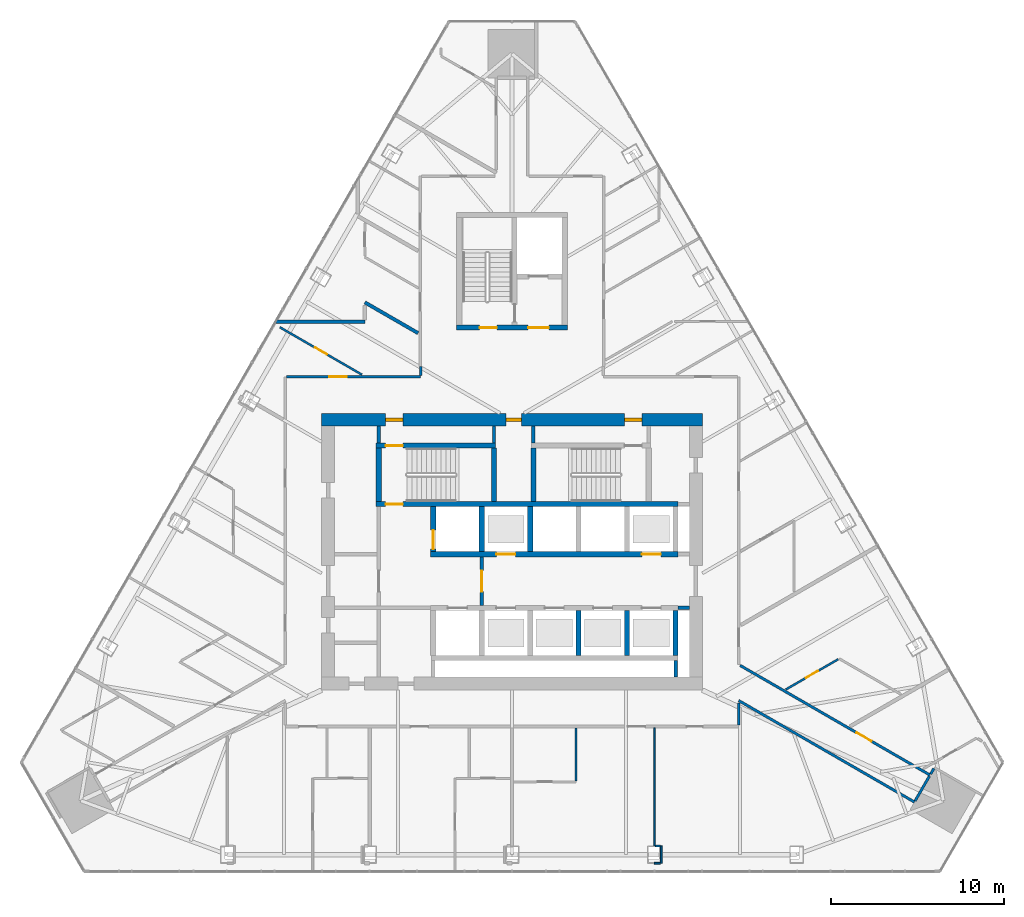
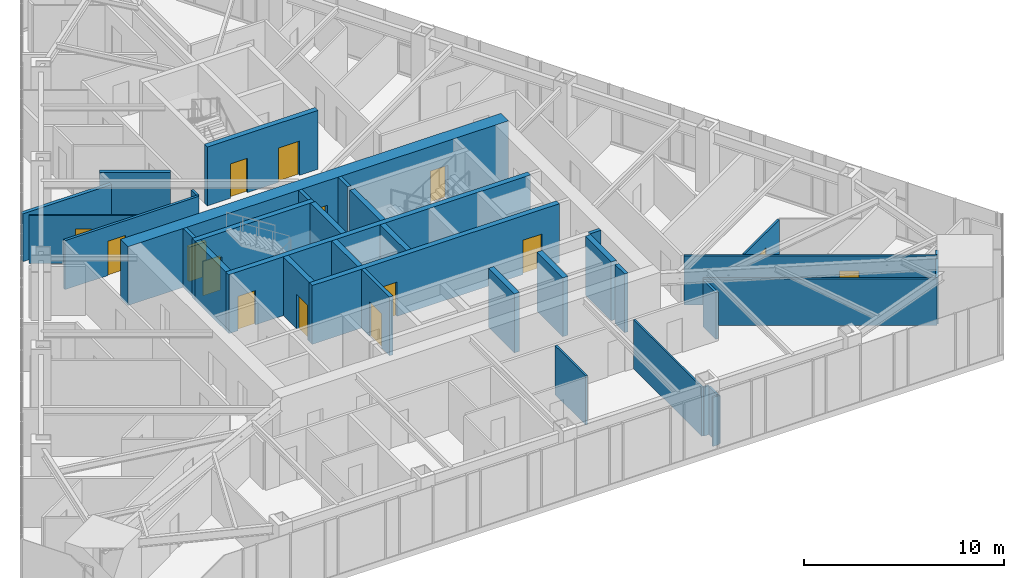
# One storey, part 20 of 24: 36 walls, 15 doors, 15 openings.
"""IFC4 building model written with IfcOpenShell, lengths in metres."""

from ifc_helpers import new_model, si_unit, direction, frame, frame_2d, origin, place, context, subcontext, project, spatial, rectangle, extrude, material, layer, layer_set, type_object, element, fill, save


model = new_model("IFC4")

# Units and contexts
model_context = context("Model", 3, precision=1e-05, world=origin(), true_north=direction((0.0, 1.0)))
body_context = subcontext(model_context, "Body", "Model", "MODEL_VIEW")
ifc_project = project(units=[si_unit("LENGTHUNIT", "METRE"), si_unit("AREAUNIT", "SQUARE_METRE"), si_unit("VOLUMEUNIT", "CUBIC_METRE"), si_unit("PLANEANGLEUNIT", "RADIAN"), si_unit("MASSUNIT", "GRAM", prefix="KILO")], contexts=[model_context])

# Site, building, storey
site_placement = place(None, origin())
site = spatial("IfcSite", under=ifc_project, at=site_placement, CompositionType="ELEMENT")
building_placement = place(site_placement, origin())
building = spatial("IfcBuilding", under=site, at=building_placement, Name="Firuza Gate Tower and Library", CompositionType="ELEMENT")
storey_placement = place(building_placement, frame((0.0, 0.0, 237.699951171875)))
storey = spatial("IfcBuildingStorey", under=building, at=storey_placement, Name="L56", CompositionType="ELEMENT", Elevation=237.699951171875)

# Walls
ifc_material_1 = material(Name="Plasterboard on steel studs", Category="steel")
ifc_layer_1 = layer(ifc_material_1, 0.199951171875)
ifc_layer_set_1 = layer_set([ifc_layer_1], Name="Core partition 200 EI 120")
wall_type_1 = type_object("IfcWallType", Name="Core partition 200 EI 120", PredefinedType="PARTITIONING", material=ifc_layer_set_1)
wall_1_placement = place(storey_placement, frame((84.60009765625, 71.75, 0.0), z_axis=(0.0, 0.0, 1.0), x_axis=(1.0, 0.0, 0.0)))
element("IfcWall", 1, at=wall_1_placement, inside=storey, type_object=wall_type_1, Name="Core partition L56 3", PredefinedType="PARTITIONING", context=body_context, shape_type="SweptSolid", body=[
    extrude(rectangle(XDim=0.64990234375, YDim=0.199951171875, at=frame_2d((0.324951171875, 0.0))), origin(), (0.0, 0.0, 1.0), 3.60009765625),
])
wall_2_placement = place(storey_placement, frame((67.300048828125, 81.280029296875, 0.0), z_axis=(0.0, 0.0, 1.0), x_axis=(0.0, 1.0, 0.0)))
element("IfcWall", 2, at=wall_2_placement, inside=storey, type_object=wall_type_1, Name="Core partition L56 9", PredefinedType="PARTITIONING", context=body_context, shape_type="SweptSolid", body=[
    extrude(rectangle(XDim=0.969970703125, YDim=0.199951171875, at=frame_2d((0.48486328125, 0.0))), origin(), (0.0, 0.0, 1.0), 3.60009765625),
])
wall_3_placement = place(storey_placement, frame((84.449951171875, 67.75, 0.0), z_axis=(0.0, 0.0, 1.0), x_axis=(0.0, 1.0, 0.0)))
element("IfcWall", 3, at=wall_3_placement, inside=storey, type_object=wall_type_1, Name="Core partition L56 15", PredefinedType="PARTITIONING", context=body_context, shape_type="SweptSolid", body=[
    extrude(rectangle(XDim=0.949951171875, YDim=0.199951171875, at=frame_2d((0.47509765625, 0.0))), origin(), (0.0, 0.0, 1.0), 3.60009765625),
])

# Wall, opening, door
ifc_material_2 = material(Name="Plasterboard on steel studs", Category="steel")
ifc_layer_2 = layer(ifc_material_2, 0.199951171875)
ifc_layer_set_2 = layer_set([ifc_layer_2], Name="Core partition 200 EI 60")
wall_type_2 = type_object("IfcWallType", Name="Core partition 200 EI 60", PredefinedType="PARTITIONING", material=ifc_layer_set_2)
wall_4_placement = place(storey_placement, frame((73.25, 71.89990234375, 0.0), z_axis=(0.0, 0.0, 1.0), x_axis=(0.0, 1.0, 0.0)))
wall_4 = element("IfcWall", 4, at=wall_4_placement, inside=storey, type_object=wall_type_2, Name="Core partition L56 11", PredefinedType="PARTITIONING", context=body_context, shape_type="SweptSolid", body=[
    extrude(rectangle(XDim=2.800048828125, YDim=0.199951171875, at=frame_2d((1.39990234375, 0.0))), origin(), (0.0, 0.0, 1.0), 3.60009765625),
])
opening_1_placement = place(wall_4_placement, frame((0.800048828125, 0.0, 0.0)))
opening_1 = element("IfcOpeningElement", 5, at=opening_1_placement, cuts=wall_4, Name="Opening L56-K18", PredefinedType="OPENING", context=body_context, shape_type="SweptSolid", body=[
    extrude(rectangle(XDim=1.199951171875, YDim=2.10009765625, at=frame_2d((0.60009765625, 1.050048828125))), frame((0.0, 0.10986328125, 0.0), z_axis=(0.0, -1.0, 0.0), x_axis=(1.0, 0.0, 0.0)), (0.0, 0.0, 1.0), 0.219970703125),
])
ifc_material_3 = material(Name="Steel", Category="steel")
door_type_1 = type_object("IfcDoorType", Name="Fire door 1200x2100 FD90S", OperationType="NOTDEFINED", PredefinedType="DOOR", material=ifc_material_3)
door_1_placement = place(opening_1_placement, origin())
door_1 = element("IfcDoor", 6, at=door_1_placement, inside=storey, type_object=door_type_1, Name="Door L56-K18", OperationType="SINGLE_SWING_LEFT", OverallHeight=2.10009765625, OverallWidth=1.199951171875, PredefinedType="DOOR", context=body_context, shape_type="SweptSolid", body=[
    extrude(rectangle(XDim=1.199951171875, YDim=2.10009765625, at=frame_2d((0.60009765625, 1.050048828125))), frame((0.0, 0.02490234375, 0.0), z_axis=(0.0, -1.0, 0.0), x_axis=(1.0, 0.0, 0.0)), (0.0, 0.0, 1.0), 0.050048828125),
])
fill(opening_1, door_1)

# Walls
for number, where, z_axis, x_axis, name in (
    (7, (73.9599609375, 81.280029296875, 0.0), (0.0, 0.0, 1.0), (0.0, 1.0, 0.0), "Core partition L56 12"),
    (8, (76.239990234375, 81.280029296875, 0.0), (0.0, 0.0, 1.0), (0.0, 1.0, 0.0), "Core partition L56 13"),
):
    element("IfcWall", number, at=place(storey_placement, frame(where, z_axis=z_axis, x_axis=x_axis)), inside=storey, type_object=wall_type_2, Name=name, PredefinedType="PARTITIONING", context=body_context, shape_type="SweptSolid", body=[
        extrude(rectangle(XDim=0.969970703125, YDim=0.199951171875, at=frame_2d((0.48486328125, 0.0))), origin(), (0.0, 0.0, 1.0), 3.60009765625),
    ])

# Wall, openings, doors
ifc_material_4 = material(Name="Concrete C80/95", Category="concrete")
ifc_layer_3 = layer(ifc_material_4, 0.300048828125)
ifc_layer_set_3 = layer_set([ifc_layer_3], Name="Core wall 300 C80/95")
wall_type_3 = type_object("IfcWallType", Name="Core wall 300 C80/95", PredefinedType="SHEAR", material=ifc_layer_set_3)
wall_5_placement = place(storey_placement, frame((70.300048828125, 74.85009765625, 0.0), z_axis=(0.0, 0.0, 1.0), x_axis=(1.0, 0.0, 0.0)))
wall_5 = element("IfcWall", 9, at=wall_5_placement, inside=storey, type_object=wall_type_3, Name="Core wall L56 7", PredefinedType="SHEAR", context=body_context, shape_type="SweptSolid", body=[
    extrude(rectangle(XDim=14.300048828125, YDim=0.300048828125, at=frame_2d((7.14990234375, 0.0))), origin(), (0.0, 0.0, 1.0), 3.60009765625),
])
opening_2_placement = place(wall_5_placement, frame((3.800048828125, 0.0, 0.0)))
opening_2 = element("IfcOpeningElement", 10, at=opening_2_placement, cuts=wall_5, Name="Opening LD-MR4-L56", PredefinedType="OPENING", context=body_context, shape_type="SweptSolid", body=[
    extrude(rectangle(XDim=1.10009765625, YDim=2.10009765625, at=frame_2d((0.550048828125, 1.050048828125))), frame((0.0, 0.16015625, 0.0), z_axis=(0.0, -1.0, 0.0), x_axis=(1.0, 0.0, 0.0)), (0.0, 0.0, 1.0), 0.320068359375),
])
opening_3_placement = place(wall_5_placement, frame((12.199951171875, 0.0, 0.0)))
opening_3 = element("IfcOpeningElement", 11, at=opening_3_placement, cuts=wall_5, Name="Opening LD-MR6-L56", PredefinedType="OPENING", context=body_context, shape_type="SweptSolid", body=[
    extrude(rectangle(XDim=1.10009765625, YDim=2.10009765625, at=frame_2d((0.550048828125, 1.050048828125))), frame((0.0, 0.16015625, 0.0), z_axis=(0.0, -1.0, 0.0), x_axis=(1.0, 0.0, 0.0)), (0.0, 0.0, 1.0), 0.320068359375),
])
ifc_material_5 = material(Name="Stainless steel", Category="steel")
door_type_2 = type_object("IfcDoorType", Name="Lift landing door 1100x2100", OperationType="DOUBLE_DOOR_SLIDING", PredefinedType="DOOR", material=ifc_material_5)
door_2_placement = place(opening_2_placement, origin())
door_2 = element("IfcDoor", 12, at=door_2_placement, inside=storey, type_object=door_type_2, Name="Landing door MR4 L56", OperationType="DOUBLE_DOOR_SLIDING", OverallHeight=2.10009765625, OverallWidth=1.10009765625, PredefinedType="DOOR", context=body_context, shape_type="SweptSolid", body=[
    extrude(rectangle(XDim=1.10009765625, YDim=2.10009765625, at=frame_2d((0.550048828125, 1.050048828125))), frame((0.0, 0.02490234375, 0.0), z_axis=(0.0, -1.0, 0.0), x_axis=(1.0, 0.0, 0.0)), (0.0, 0.0, 1.0), 0.050048828125),
])
fill(opening_2, door_2)
door_3_placement = place(opening_3_placement, origin())
door_3 = element("IfcDoor", 13, at=door_3_placement, inside=storey, type_object=door_type_2, Name="Landing door MR6 L56", OperationType="DOUBLE_DOOR_SLIDING", OverallHeight=2.10009765625, OverallWidth=1.10009765625, PredefinedType="DOOR", context=body_context, shape_type="SweptSolid", body=[
    extrude(rectangle(XDim=1.10009765625, YDim=2.10009765625, at=frame_2d((0.550048828125, 1.050048828125))), frame((0.0, 0.02490234375, 0.0), z_axis=(0.0, -1.0, 0.0), x_axis=(1.0, 0.0, 0.0)), (0.0, 0.0, 1.0), 0.050048828125),
])
fill(opening_3, door_3)

# Wall, opening, door
wall_6_placement = place(storey_placement, frame((70.449951171875, 75.0, 0.0), z_axis=(0.0, 0.0, 1.0), x_axis=(0.0, 1.0, 0.0)))
wall_6 = element("IfcWall", 14, at=wall_6_placement, inside=storey, type_object=wall_type_3, Name="Core wall L56 9", PredefinedType="SHEAR", context=body_context, shape_type="SweptSolid", body=[
    extrude(rectangle(XDim=2.60009765625, YDim=0.300048828125, at=frame_2d((1.300048828125, 0.0))), origin(), (0.0, 0.0, 1.0), 3.60009765625),
])
opening_4_placement = place(wall_6_placement, frame((0.14990234375, 0.0, 0.0)))
opening_4 = element("IfcOpeningElement", 15, at=opening_4_placement, cuts=wall_6, Name="Opening LD-FF2-L56", PredefinedType="OPENING", context=body_context, shape_type="SweptSolid", body=[
    extrude(rectangle(XDim=1.10009765625, YDim=2.10009765625, at=frame_2d((0.550048828125, 1.050048828125))), frame((0.0, 0.16015625, 0.0), z_axis=(0.0, -1.0, 0.0), x_axis=(1.0, 0.0, 0.0)), (0.0, 0.0, 1.0), 0.320068359375),
])
door_4_placement = place(opening_4_placement, origin())
door_4 = element("IfcDoor", 16, at=door_4_placement, inside=storey, type_object=door_type_2, Name="Landing door FF2 L56", OperationType="DOUBLE_DOOR_SLIDING", OverallHeight=2.10009765625, OverallWidth=1.10009765625, PredefinedType="DOOR", context=body_context, shape_type="SweptSolid", body=[
    extrude(rectangle(XDim=1.10009765625, YDim=2.10009765625, at=frame_2d((0.550048828125, 1.050048828125))), frame((0.0, 0.02490234375, 0.0), z_axis=(0.0, -1.0, 0.0), x_axis=(1.0, 0.0, 0.0)), (0.0, 0.0, 1.0), 0.050048828125),
])
fill(opening_4, door_4)

# Walls
for number, where, z_axis, x_axis, name in (
    (17, (73.25, 75.0, 0.0), (0.0, 0.0, 1.0), (0.0, 1.0, 0.0), "Core wall L56 11"),
    (18, (76.050048828125, 75.0, 0.0), (0.0, 0.0, 1.0), (0.0, 1.0, 0.0), "Core wall L56 13"),
    (19, (78.85009765625, 69.0, 0.0), (0.0, 0.0, 1.0), (0.0, 1.0, 0.0), "Core wall L56 14"),
    (20, (81.64990234375, 69.0, 0.0), (0.0, 0.0, 1.0), (0.0, 1.0, 0.0), "Core wall L56 16"),
    (21, (84.449951171875, 69.0, 0.0), (0.0, 0.0, 1.0), (0.0, 1.0, 0.0), "Core wall L56 18"),
):
    element("IfcWall", number, at=place(storey_placement, frame(where, z_axis=z_axis, x_axis=x_axis)), inside=storey, type_object=wall_type_3, Name=name, PredefinedType="SHEAR", context=body_context, shape_type="SweptSolid", body=[
        extrude(rectangle(XDim=2.60009765625, YDim=0.300048828125, at=frame_2d((1.300048828125, 0.0))), origin(), (0.0, 0.0, 1.0), 3.60009765625),
    ])

# Wall, opening, door
wall_7_placement = place(storey_placement, frame((67.14990234375, 77.75, 0.0), z_axis=(0.0, 0.0, 1.0), x_axis=(1.0, 0.0, 0.0)))
wall_7 = element("IfcWall", 22, at=wall_7_placement, inside=storey, type_object=wall_type_3, Name="Core wall L56 20", PredefinedType="SHEAR", context=body_context, shape_type="SweptSolid", body=[
    extrude(rectangle(XDim=17.4501953125, YDim=0.300048828125, at=frame_2d((8.72509765625, 0.0))), origin(), (0.0, 0.0, 1.0), 3.60009765625),
])
opening_5_placement = place(wall_7_placement, frame((0.544921875, 0.0, 0.0)))
opening_5 = element("IfcOpeningElement", 23, at=opening_5_placement, cuts=wall_7, Name="Opening L56-K10", PredefinedType="OPENING", context=body_context, shape_type="SweptSolid", body=[
    extrude(rectangle(XDim=1.0, YDim=2.10009765625, at=frame_2d((0.5, 1.050048828125))), frame((0.0, 0.16015625, 0.0), z_axis=(0.0, -1.0, 0.0), x_axis=(1.0, 0.0, 0.0)), (0.0, 0.0, 1.0), 0.320068359375),
])
ifc_material_6 = material(Name="Steel", Category="steel")
door_type_3 = type_object("IfcDoorType", Name="Fire door 1000x2100 FD90", OperationType="NOTDEFINED", PredefinedType="DOOR", material=ifc_material_6)
door_5_placement = place(opening_5_placement, origin())
door_5 = element("IfcDoor", 24, at=door_5_placement, inside=storey, type_object=door_type_3, Name="Door L56-K10", OperationType="SINGLE_SWING_LEFT", OverallHeight=2.10009765625, OverallWidth=1.0, PredefinedType="DOOR", context=body_context, shape_type="SweptSolid", body=[
    extrude(rectangle(XDim=1.0, YDim=2.10009765625, at=frame_2d((0.5, 1.050048828125))), frame((0.0, 0.02490234375, 0.0), z_axis=(0.0, -1.0, 0.0), x_axis=(1.0, 0.0, 0.0)), (0.0, 0.0, 1.0), 0.050048828125),
])
fill(opening_5, door_5)

wall_8_placement = place(storey_placement, frame((67.14990234375, 81.1298828125, 0.0), z_axis=(0.0, 0.0, 1.0), x_axis=(1.0, 0.0, 0.0)))
wall_8 = element("IfcWall", 25, at=wall_8_placement, inside=storey, type_object=wall_type_3, Name="Core wall L56 21", PredefinedType="SHEAR", context=body_context, shape_type="SweptSolid", body=[
    extrude(rectangle(XDim=6.91015625, YDim=0.300048828125, at=frame_2d((3.455078125, 0.0))), origin(), (0.0, 0.0, 1.0), 3.60009765625),
])
opening_6_placement = place(wall_8_placement, frame((0.544921875, 0.0, 0.0)))
opening_6 = element("IfcOpeningElement", 26, at=opening_6_placement, cuts=wall_8, Name="Opening L56-K11", PredefinedType="OPENING", context=body_context, shape_type="SweptSolid", body=[
    extrude(rectangle(XDim=1.0, YDim=2.10009765625, at=frame_2d((0.5, 1.050048828125))), frame((0.0, 0.16015625, 0.0), z_axis=(0.0, -1.0, 0.0), x_axis=(1.0, 0.0, 0.0)), (0.0, 0.0, 1.0), 0.320068359375),
])
door_6_placement = place(opening_6_placement, origin())
door_6 = element("IfcDoor", 27, at=door_6_placement, inside=storey, type_object=door_type_3, Name="Door L56-K11", OperationType="SINGLE_SWING_RIGHT", OverallHeight=2.10009765625, OverallWidth=1.0, PredefinedType="DOOR", context=body_context, shape_type="SweptSolid", body=[
    extrude(rectangle(XDim=1.0, YDim=2.10009765625, at=frame_2d((0.5, 1.050048828125))), frame((0.0, 0.02490234375, 0.0), z_axis=(0.0, -1.0, 0.0), x_axis=(1.0, 0.0, 0.0)), (0.0, 0.0, 1.0), 0.050048828125),
])
fill(opening_6, door_6)

# Walls
for number, where, z_axis, x_axis, name in (
    (28, (67.300048828125, 77.89990234375, 0.0), (0.0, 0.0, 1.0), (0.0, 1.0, 0.0), "Core wall L56 23"),
    (29, (73.9599609375, 77.89990234375, 0.0), (0.0, 0.0, 1.0), (0.0, 1.0, 0.0), "Core wall L56 24"),
    (30, (76.239990234375, 77.89990234375, 0.0), (0.0, 0.0, 1.0), (0.0, 1.0, 0.0), "Core wall L56 25"),
):
    element("IfcWall", number, at=place(storey_placement, frame(where, z_axis=z_axis, x_axis=x_axis)), inside=storey, type_object=wall_type_3, Name=name, PredefinedType="SHEAR", context=body_context, shape_type="SweptSolid", body=[
        extrude(rectangle(XDim=3.080078125, YDim=0.300048828125, at=frame_2d((1.5400390625, 0.0))), origin(), (0.0, 0.0, 1.0), 3.60009765625),
    ])

# Wall, openings, doors
wall_9_placement = place(storey_placement, frame((71.800048828125, 87.949951171875, 0.0), z_axis=(0.0, 0.0, 1.0), x_axis=(1.0, 0.0, 0.0)))
wall_9 = element("IfcWall", 31, at=wall_9_placement, inside=storey, type_object=wall_type_3, Name="Core wall L56 27", PredefinedType="SHEAR", context=body_context, shape_type="SweptSolid", body=[
    extrude(rectangle(XDim=6.39990234375, YDim=0.300048828125, at=frame_2d((3.199951171875, 0.0))), origin(), (0.0, 0.0, 1.0), 3.60009765625),
])
opening_7_placement = place(wall_9_placement, frame((1.324951171875, 0.0, 0.0)))
opening_7 = element("IfcOpeningElement", 32, at=opening_7_placement, cuts=wall_9, Name="Opening L56-K15", PredefinedType="OPENING", context=body_context, shape_type="SweptSolid", body=[
    extrude(rectangle(XDim=1.0, YDim=2.10009765625, at=frame_2d((0.5, 1.050048828125))), frame((0.0, 0.16015625, 0.0), z_axis=(0.0, -1.0, 0.0), x_axis=(1.0, 0.0, 0.0)), (0.0, 0.0, 1.0), 0.320068359375),
])
opening_8_placement = place(wall_9_placement, frame((4.125, 0.0, 0.0)))
opening_8 = element("IfcOpeningElement", 33, at=opening_8_placement, cuts=wall_9, Name="Opening L56-K17", PredefinedType="OPENING", context=body_context, shape_type="SweptSolid", body=[
    extrude(rectangle(XDim=1.199951171875, YDim=2.10009765625, at=frame_2d((0.60009765625, 1.050048828125))), frame((0.0, 0.16015625, 0.0), z_axis=(0.0, -1.0, 0.0), x_axis=(1.0, 0.0, 0.0)), (0.0, 0.0, 1.0), 0.320068359375),
])
door_7_placement = place(opening_7_placement, origin())
door_7 = element("IfcDoor", 34, at=door_7_placement, inside=storey, type_object=door_type_3, Name="Door L56-K15", OperationType="SINGLE_SWING_RIGHT", OverallHeight=2.10009765625, OverallWidth=1.0, PredefinedType="DOOR", context=body_context, shape_type="SweptSolid", body=[
    extrude(rectangle(XDim=1.0, YDim=2.10009765625, at=frame_2d((0.5, 1.050048828125))), frame((0.0, 0.02490234375, 0.0), z_axis=(0.0, -1.0, 0.0), x_axis=(1.0, 0.0, 0.0)), (0.0, 0.0, 1.0), 0.050048828125),
])
fill(opening_7, door_7)
ifc_material_7 = material(Name="Steel", Category="steel")
door_type_4 = type_object("IfcDoorType", Name="Fire door 1200x2100 FD30S", OperationType="NOTDEFINED", PredefinedType="DOOR", material=ifc_material_7)
door_8_placement = place(opening_8_placement, origin())
door_8 = element("IfcDoor", 35, at=door_8_placement, inside=storey, type_object=door_type_4, Name="Door L56-K17", OperationType="SINGLE_SWING_RIGHT", OverallHeight=2.10009765625, OverallWidth=1.199951171875, PredefinedType="DOOR", context=body_context, shape_type="SweptSolid", body=[
    extrude(rectangle(XDim=1.199951171875, YDim=2.10009765625, at=frame_2d((0.60009765625, 1.050048828125))), frame((0.0, 0.02490234375, 0.0), z_axis=(0.0, -1.0, 0.0), x_axis=(1.0, 0.0, 0.0)), (0.0, 0.0, 1.0), 0.050048828125),
])
fill(opening_8, door_8)

ifc_material_8 = material(Name="Concrete C80/95", Category="concrete")
ifc_layer_4 = layer(ifc_material_8, 0.75)
ifc_layer_set_4 = layer_set([ifc_layer_4], Name="Core wall 750 C80/95")
wall_type_4 = type_object("IfcWallType", Name="Core wall 750 C80/95", PredefinedType="SHEAR", material=ifc_layer_set_4)
wall_10_placement = place(storey_placement, frame((64.0, 82.625, 0.0), z_axis=(0.0, 0.0, 1.0), x_axis=(1.0, 0.0, 0.0)))
wall_10 = element("IfcWall", 36, at=wall_10_placement, inside=storey, type_object=wall_type_4, Name="Core wall L56 2", PredefinedType="SHEAR", context=body_context, shape_type="SweptSolid", body=[
    extrude(rectangle(XDim=22.0, YDim=0.75, at=frame_2d((11.0, 0.0))), origin(), (0.0, 0.0, 1.0), 3.60009765625),
])
opening_9_placement = place(wall_10_placement, frame((3.695068359375, 0.0, 0.0)))
opening_9 = element("IfcOpeningElement", 37, at=opening_9_placement, cuts=wall_10, Name="Opening L56-K12", PredefinedType="OPENING", context=body_context, shape_type="SweptSolid", body=[
    extrude(rectangle(XDim=1.0, YDim=2.10009765625, at=frame_2d((0.5, 1.050048828125))), frame((0.0, 0.385009765625, 0.0), z_axis=(0.0, -1.0, 0.0), x_axis=(1.0, 0.0, 0.0)), (0.0, 0.0, 1.0), 0.77001953125),
])
opening_10_placement = place(wall_10_placement, frame((17.5048828125, 0.0, 0.0)))
opening_10 = element("IfcOpeningElement", 38, at=opening_10_placement, cuts=wall_10, Name="Opening L56-K14", PredefinedType="OPENING", context=body_context, shape_type="SweptSolid", body=[
    extrude(rectangle(XDim=1.0, YDim=2.10009765625, at=frame_2d((0.5, 1.050048828125))), frame((0.0, 0.385009765625, 0.0), z_axis=(0.0, -1.0, 0.0), x_axis=(1.0, 0.0, 0.0)), (0.0, 0.0, 1.0), 0.77001953125),
])
opening_11_placement = place(wall_10_placement, frame((10.64990234375, 0.0, 0.0)))
opening_11 = element("IfcOpeningElement", 39, at=opening_11_placement, cuts=wall_10, Name="Opening L56-K26", PredefinedType="OPENING", context=body_context, shape_type="SweptSolid", body=[
    extrude(rectangle(XDim=0.89990234375, YDim=2.10009765625, at=frame_2d((0.449951171875, 1.050048828125))), frame((0.0, 0.385009765625, 0.0), z_axis=(0.0, -1.0, 0.0), x_axis=(1.0, 0.0, 0.0)), (0.0, 0.0, 1.0), 0.77001953125),
])
door_9_placement = place(opening_9_placement, origin())
door_9 = element("IfcDoor", 40, at=door_9_placement, inside=storey, type_object=door_type_3, Name="Door L56-K12", OperationType="SINGLE_SWING_LEFT", OverallHeight=2.10009765625, OverallWidth=1.0, PredefinedType="DOOR", context=body_context, shape_type="SweptSolid", body=[
    extrude(rectangle(XDim=1.0, YDim=2.10009765625, at=frame_2d((0.5, 1.050048828125))), frame((0.0, 0.094970703125, 0.0), z_axis=(0.0, -1.0, 0.0), x_axis=(1.0, 0.0, 0.0)), (0.0, 0.0, 1.0), 0.18994140625),
])
fill(opening_9, door_9)
door_10_placement = place(opening_10_placement, origin())
door_10 = element("IfcDoor", 41, at=door_10_placement, inside=storey, type_object=door_type_3, Name="Door L56-K14", OperationType="SINGLE_SWING_LEFT", OverallHeight=2.10009765625, OverallWidth=1.0, PredefinedType="DOOR", context=body_context, shape_type="SweptSolid", body=[
    extrude(rectangle(XDim=1.0, YDim=2.10009765625, at=frame_2d((0.5, 1.050048828125))), frame((0.0, 0.094970703125, 0.0), z_axis=(0.0, -1.0, 0.0), x_axis=(1.0, 0.0, 0.0)), (0.0, 0.0, 1.0), 0.18994140625),
])
fill(opening_10, door_10)
ifc_material_9 = material(Name="Steel", Category="steel")
door_type_5 = type_object("IfcDoorType", Name="Fire door 900x2100 FD30S", OperationType="NOTDEFINED", PredefinedType="DOOR", material=ifc_material_9)
door_11_placement = place(opening_11_placement, origin())
door_11 = element("IfcDoor", 42, at=door_11_placement, inside=storey, type_object=door_type_5, Name="Door L56-K26", OperationType="SINGLE_SWING_LEFT", OverallHeight=2.10009765625, OverallWidth=0.89990234375, PredefinedType="DOOR", context=body_context, shape_type="SweptSolid", body=[
    extrude(rectangle(XDim=0.89990234375, YDim=2.10009765625, at=frame_2d((0.449951171875, 1.050048828125))), frame((0.0, 0.094970703125, 0.0), z_axis=(0.0, -1.0, 0.0), x_axis=(1.0, 0.0, 0.0)), (0.0, 0.0, 1.0), 0.18994140625),
])
fill(opening_11, door_11)

# Wall, opening, door
ifc_material_10 = material(Name="Gypsum board partition")
ifc_layer_5 = layer(ifc_material_10, 0.14990234375)
ifc_layer_set_5 = layer_set([ifc_layer_5], Name="Corridor wall 150 double board on steel studs")
wall_type_5 = type_object("IfcWallType", Name="Corridor wall 150 double board on steel studs", PredefinedType="PARTITIONING", material=ifc_layer_set_5)
wall_11_placement = place(storey_placement, frame((61.9755859375, 85.10009765625, 0.0), z_axis=(0.0, 0.0, 1.0), x_axis=(1.0, 0.0, 0.0)))
wall_11 = element("IfcWall", 43, at=wall_11_placement, inside=storey, type_object=wall_type_5, Name="f:L56:w012", PredefinedType="PARTITIONING", context=body_context, shape_type="SweptSolid", body=[
    extrude(rectangle(XDim=7.743896484375, YDim=0.14990234375, at=frame_2d((3.8720703125, 0.0))), origin(), (0.0, 0.0, 1.0), 3.0),
])
opening_12_placement = place(wall_11_placement, frame((2.474609375, 0.0, 0.0)))
opening_12 = element("IfcOpeningElement", 44, at=opening_12_placement, cuts=wall_11, Name="Opening L56-08", PredefinedType="OPENING", context=body_context, shape_type="SweptSolid", body=[
    extrude(rectangle(XDim=1.0, YDim=2.10009765625, at=frame_2d((0.5, 1.050048828125))), frame((0.0, 0.0849609375, 0.0), z_axis=(0.0, -1.0, 0.0), x_axis=(1.0, 0.0, 0.0)), (0.0, 0.0, 1.0), 0.169921875),
])
ifc_material_11 = material(Name="Steel door and timber leaf", Category="steel")
door_type_6 = type_object("IfcDoorType", Name="Fire door 1000 x 2100 steel frame, timber leaf", OperationType="NOTDEFINED", PredefinedType="DOOR", material=ifc_material_11)
door_12_placement = place(opening_12_placement, origin())
door_12 = element("IfcDoor", 45, at=door_12_placement, inside=storey, type_object=door_type_6, Name="f:L56:d008", OperationType="SINGLE_SWING_LEFT", OverallHeight=2.10009765625, OverallWidth=1.0, PredefinedType="DOOR", context=body_context, shape_type="SweptSolid", body=[
    extrude(rectangle(XDim=1.0, YDim=2.10009765625, at=frame_2d((0.5, 1.050048828125))), frame((0.0, 0.02490234375, 0.0), z_axis=(0.0, -1.0, 0.0), x_axis=(1.0, 0.0, 0.0)), (0.0, 0.0, 1.0), 0.050048828125),
])
fill(opening_12, door_12)

# Walls
wall_12_placement = place(storey_placement, frame((98.292724609375, 60.599853515625, 0.0), z_axis=(0.0, 0.0, 1.0), x_axis=(0.499927431592, 0.866067297121, 0.0)))
element("IfcWall", 46, at=wall_12_placement, inside=storey, type_object=wall_type_5, Name="f:L56:w035", PredefinedType="PARTITIONING", context=body_context, shape_type="SweptSolid", body=[
    extrude(rectangle(XDim=1.649658203125, YDim=0.14990234375, at=frame_2d((0.82470703125, 0.0))), origin(), (0.0, 0.0, 1.0), 2.84716796875),
])
wall_13_placement = place(storey_placement, frame((88.10009765625, 64.9755859375, 0.0), z_axis=(0.0, 0.0, 1.0), x_axis=(0.0, 1.0, 0.0)))
element("IfcWall", 47, at=wall_13_placement, inside=storey, type_object=wall_type_5, Name="f:L56:w040", PredefinedType="PARTITIONING", context=body_context, shape_type="SweptSolid", body=[
    extrude(rectangle(XDim=1.28515625, YDim=0.14990234375, at=frame_2d((0.642578125, 0.0))), origin(), (0.0, 0.0, 1.0), 2.84716796875),
])
wall_14_placement = place(storey_placement, frame((69.718994140625, 85.175048828125, 0.0), z_axis=(0.0, 0.0, 1.0), x_axis=(0.0, 1.0, 0.0)))
element("IfcWall", 48, at=wall_14_placement, inside=storey, type_object=wall_type_5, Name="f:L56:w056", PredefinedType="PARTITIONING", context=body_context, shape_type="SweptSolid", body=[
    extrude(rectangle(XDim=0.52490234375, YDim=0.14990234375, at=frame_2d((0.262451171875, 0.0))), origin(), (0.0, 0.0, 1.0), 3.0),
])

# Wall, opening, door
wall_15_placement = place(storey_placement, frame((88.175048828125, 68.4326171875, 0.0), z_axis=(0.0, 0.0, 1.0), x_axis=(0.866028141608, -0.499995257921, 0.0)))
wall_15 = element("IfcWall", 49, at=wall_15_placement, inside=storey, type_object=wall_type_5, Name="f:L56:w083", PredefinedType="PARTITIONING", context=body_context, shape_type="SweptSolid", body=[
    extrude(rectangle(XDim=12.6787109375, YDim=0.14990234375, at=frame_2d((6.33935546875, 0.0))), origin(), (0.0, 0.0, 1.0), 3.0),
])
opening_13_placement = place(wall_15_placement, frame((7.779052734375, 0.0, 0.0)))
opening_13 = element("IfcOpeningElement", 50, at=opening_13_placement, cuts=wall_15, Name="Opening L56-37", PredefinedType="OPENING", context=body_context, shape_type="SweptSolid", body=[
    extrude(rectangle(XDim=1.0, YDim=2.10009765625, at=frame_2d((0.5, 1.050048828125))), frame((0.0, 0.0849609375, 0.0), z_axis=(0.0, -1.0, 0.0), x_axis=(1.0, 0.0, 0.0)), (0.0, 0.0, 1.0), 0.169921875),
])
door_13_placement = place(opening_13_placement, origin())
door_13 = element("IfcDoor", 51, at=door_13_placement, inside=storey, type_object=door_type_6, Name="f:L56:d037", OperationType="SINGLE_SWING_RIGHT", OverallHeight=2.10009765625, OverallWidth=1.0, PredefinedType="DOOR", context=body_context, shape_type="SweptSolid", body=[
    extrude(rectangle(XDim=1.0, YDim=2.10009765625, at=frame_2d((0.5, 1.050048828125))), frame((0.0, 0.02490234375, 0.0), z_axis=(0.0, -1.0, 0.0), x_axis=(1.0, 0.0, 0.0)), (0.0, 0.0, 1.0), 0.050048828125),
])
fill(opening_13, door_13)

# Walls
wall_16_placement = place(storey_placement, frame((98.2548828125, 60.53466796875, 0.0), z_axis=(0.0, 0.0, 1.0), x_axis=(-0.866028172479, 0.49999520445, 0.0)))
element("IfcWall", 52, at=wall_16_placement, inside=storey, type_object=wall_type_5, Name="f:L56:w086", PredefinedType="PARTITIONING", context=body_context, shape_type="SweptSolid", body=[
    extrude(rectangle(XDim=11.7255859375, YDim=0.14990234375, at=frame_2d((5.86279296875, 0.0))), origin(), (0.0, 0.0, 1.0), 2.84716796875),
])
wall_17_placement = place(storey_placement, frame((99.1923828125, 62.158447265625, 0.0), z_axis=(0.0, 0.0, 1.0), x_axis=(0.500534336868, 0.865716684381, 0.0)))
element("IfcWall", 53, at=wall_17_placement, inside=storey, type_object=wall_type_5, Name="f:L56:w097", PredefinedType="PARTITIONING", context=body_context, shape_type="SweptSolid", body=[
    extrude(rectangle(XDim=0.3642578125, YDim=0.14990234375, at=frame_2d((0.18212890625, 0.0))), origin(), (0.0, 0.0, 1.0), 3.0),
])
ifc_material_12 = material(Name="Gypsum board partition")
ifc_layer_6 = layer(ifc_material_12, 0.199951171875)
ifc_layer_set_6 = layer_set([ifc_layer_6], Name="Demising wall 200 acoustic double stud")
wall_type_6 = type_object("IfcWallType", Name="Demising wall 200 acoustic double stud", PredefinedType="PARTITIONING", material=ifc_layer_set_6)
wall_18_placement = place(storey_placement, frame((61.3583984375, 88.300048828125, 0.0), z_axis=(0.0, 0.0, 1.0), x_axis=(1.0, 0.0, 0.0)))
element("IfcWall", 54, at=wall_18_placement, inside=storey, type_object=wall_type_6, Name="f:L56:w014", PredefinedType="PARTITIONING", context=body_context, shape_type="SweptSolid", body=[
    extrude(rectangle(XDim=5.14111328125, YDim=0.199951171875, at=frame_2d((2.570556640625, 0.0))), origin(), (0.0, 0.0, 1.0), 2.922119140625),
])
wall_19_placement = place(storey_placement, frame((69.57275390625, 87.630859375, 0.0), z_axis=(0.0, 0.0, 1.0), x_axis=(-0.866028616566, 0.499994435258, 0.0)))
element("IfcWall", 55, at=wall_19_placement, inside=storey, type_object=wall_type_6, Name="f:L56:w078", PredefinedType="PARTITIONING", context=body_context, shape_type="SweptSolid", body=[
    extrude(rectangle(XDim=3.54833984375, YDim=0.199951171875, at=frame_2d((1.774169921875, 0.0))), origin(), (0.0, 0.0, 1.0), 3.0),
])
ifc_material_13 = material(Name="Gypsum board partition")
ifc_layer_7 = layer(ifc_material_13, 0.10009765625)
ifc_layer_set_7 = layer_set([ifc_layer_7], Name="Partition 100 gypsum board on steel studs")
wall_type_7 = type_object("IfcWallType", Name="Partition 100 gypsum board on steel studs", PredefinedType="PARTITIONING", material=ifc_layer_set_7)
wall_20_placement = place(storey_placement, frame((83.2255859375, 56.99609375, 0.0), z_axis=(0.0, 0.0, 1.0), x_axis=(1.0, 0.0, 0.0)))
element("IfcWall", 56, at=wall_20_placement, inside=storey, type_object=wall_type_7, Name="f:L56:w003", PredefinedType="PARTITIONING", context=body_context, shape_type="SweptSolid", body=[
    extrude(rectangle(XDim=0.349365234375, YDim=0.10009765625, at=frame_2d((0.1748046875, 0.0))), origin(), (0.0, 0.0, 1.0), 3.0),
])
wall_21_placement = place(storey_placement, frame((83.28564453125, 57.99609375, 0.0), z_axis=(0.0, 0.0, 1.0), x_axis=(1.0, 0.0, 0.0)))
element("IfcWall", 57, at=wall_21_placement, inside=storey, type_object=wall_type_7, Name="f:L56:w007", PredefinedType="PARTITIONING", context=body_context, shape_type="SweptSolid", body=[
    extrude(rectangle(XDim=0.289306640625, YDim=0.10009765625, at=frame_2d((0.14453125, 0.0))), origin(), (0.0, 0.0, 1.0), 3.0),
])
wall_22_placement = place(storey_placement, frame((83.6259765625, 56.99658203125, 0.0), z_axis=(0.0, 0.0, 1.0), x_axis=(0.0, 1.0, 0.0)))
element("IfcWall", 58, at=wall_22_placement, inside=storey, type_object=wall_type_7, Name="f:L56:w042", PredefinedType="PARTITIONING", context=body_context, shape_type="SweptSolid", body=[
    extrude(rectangle(XDim=0.9990234375, YDim=0.10009765625, at=frame_2d((0.49951171875, 0.0))), origin(), (0.0, 0.0, 1.0), 2.922119140625),
])
wall_23_placement = place(storey_placement, frame((83.22607421875, 57.99609375, 0.0), z_axis=(0.0, 0.0, 1.0), x_axis=(0.0, 1.0, 0.0)))
element("IfcWall", 59, at=wall_23_placement, inside=storey, type_object=wall_type_7, Name="f:L56:w044", PredefinedType="PARTITIONING", context=body_context, shape_type="SweptSolid", body=[
    extrude(rectangle(XDim=6.828857421875, YDim=0.10009765625, at=frame_2d((3.41455078125, 0.0))), origin(), (0.0, 0.0, 1.0), 3.0),
])

# Wall, opening, door
ifc_material_14 = material(Name="Gypsum board partition")
ifc_layer_8 = layer(ifc_material_14, 0.1201171875)
ifc_layer_set_8 = layer_set([ifc_layer_8], Name="Wet-area partition 120 moisture-resistant board")
wall_type_8 = type_object("IfcWallType", Name="Wet-area partition 120 moisture-resistant board", PredefinedType="PARTITIONING", material=ifc_layer_set_8)
wall_24_placement = place(storey_placement, frame((93.845947265625, 68.784423828125, 0.0), z_axis=(0.0, 0.0, 1.0), x_axis=(-0.865997352085, -0.500048583822, 0.0)))
wall_24 = element("IfcWall", 60, at=wall_24_placement, inside=storey, type_object=wall_type_8, Name="f:L56:w021", PredefinedType="PARTITIONING", context=body_context, shape_type="SweptSolid", body=[
    extrude(rectangle(XDim=3.499267578125, YDim=0.1201171875, at=frame_2d((1.74951171875, 0.0))), origin(), (0.0, 0.0, 1.0), 3.0),
])
opening_14_placement = place(wall_24_placement, frame((1.349609375, 0.0, 0.0)))
opening_14 = element("IfcOpeningElement", 61, at=opening_14_placement, cuts=wall_24, Name="Opening L56-14", PredefinedType="OPENING", context=body_context, shape_type="SweptSolid", body=[
    extrude(rectangle(XDim=0.800048828125, YDim=2.10009765625, at=frame_2d((0.39990234375, 1.050048828125))), frame((0.0, 0.070068359375, 0.0), z_axis=(0.0, -1.0, 0.0), x_axis=(1.0, 0.0, 0.0)), (0.0, 0.0, 1.0), 0.14013671875),
])
ifc_material_15 = material(Name="Timber door", Category="wood")
door_type_7 = type_object("IfcDoorType", Name="Door 800 x 2100 timber leaf", OperationType="NOTDEFINED", PredefinedType="DOOR", material=ifc_material_15)
door_14_placement = place(opening_14_placement, origin())
door_14 = element("IfcDoor", 62, at=door_14_placement, inside=storey, type_object=door_type_7, Name="f:L56:d014", OperationType="SINGLE_SWING_LEFT", OverallHeight=2.10009765625, OverallWidth=0.800048828125, PredefinedType="DOOR", context=body_context, shape_type="SweptSolid", body=[
    extrude(rectangle(XDim=0.800048828125, YDim=2.10009765625, at=frame_2d((0.39990234375, 1.050048828125))), frame((0.0, 0.02490234375, 0.0), z_axis=(0.0, -1.0, 0.0), x_axis=(1.0, 0.0, 0.0)), (0.0, 0.0, 1.0), 0.050048828125),
])
fill(opening_14, door_14)

# Wall
wall_25_placement = place(storey_placement, frame((78.700927734375, 61.760009765625, 0.0), z_axis=(0.0, 0.0, 1.0), x_axis=(0.0, 1.0, 0.0)))
element("IfcWall", 63, at=wall_25_placement, inside=storey, type_object=wall_type_8, Name="f:L56:w047", PredefinedType="PARTITIONING", context=body_context, shape_type="SweptSolid", body=[
    extrude(rectangle(XDim=3.06494140625, YDim=0.1201171875, at=frame_2d((1.532470703125, 0.0))), origin(), (0.0, 0.0, 1.0), 3.0),
])

# Wall, opening, door
wall_26_placement = place(storey_placement, frame((61.58349609375, 87.969970703125, 0.0), z_axis=(0.0, 0.0, 1.0), x_axis=(0.866027562125, -0.499996261625, 0.0)))
wall_26 = element("IfcWall", 64, at=wall_26_placement, inside=storey, type_object=wall_type_8, Name="f:L56:w079", PredefinedType="PARTITIONING", context=body_context, shape_type="SweptSolid", body=[
    extrude(rectangle(XDim=5.47998046875, YDim=0.1201171875, at=frame_2d((2.739990234375, 0.0))), origin(), (0.0, 0.0, 1.0), 2.922119140625),
])
opening_15_placement = place(wall_26_placement, frame((2.33984375, 0.0, 0.0)))
opening_15 = element("IfcOpeningElement", 65, at=opening_15_placement, cuts=wall_26, Name="Opening L56-36", PredefinedType="OPENING", context=body_context, shape_type="SweptSolid", body=[
    extrude(rectangle(XDim=0.800048828125, YDim=2.10009765625, at=frame_2d((0.39990234375, 1.050048828125))), frame((0.0, 0.070068359375, 0.0), z_axis=(0.0, -1.0, 0.0), x_axis=(1.0, 0.0, 0.0)), (0.0, 0.0, 1.0), 0.14013671875),
])
door_15_placement = place(opening_15_placement, origin())
door_15 = element("IfcDoor", 66, at=door_15_placement, inside=storey, type_object=door_type_7, Name="f:L56:d036", OperationType="SINGLE_SWING_LEFT", OverallHeight=2.10009765625, OverallWidth=0.800048828125, PredefinedType="DOOR", context=body_context, shape_type="SweptSolid", body=[
    extrude(rectangle(XDim=0.800048828125, YDim=2.10009765625, at=frame_2d((0.39990234375, 1.050048828125))), frame((0.0, 0.02490234375, 0.0), z_axis=(0.0, -1.0, 0.0), x_axis=(1.0, 0.0, 0.0)), (0.0, 0.0, 1.0), 0.050048828125),
])
fill(opening_15, door_15)

save(model, "model.ifc")
